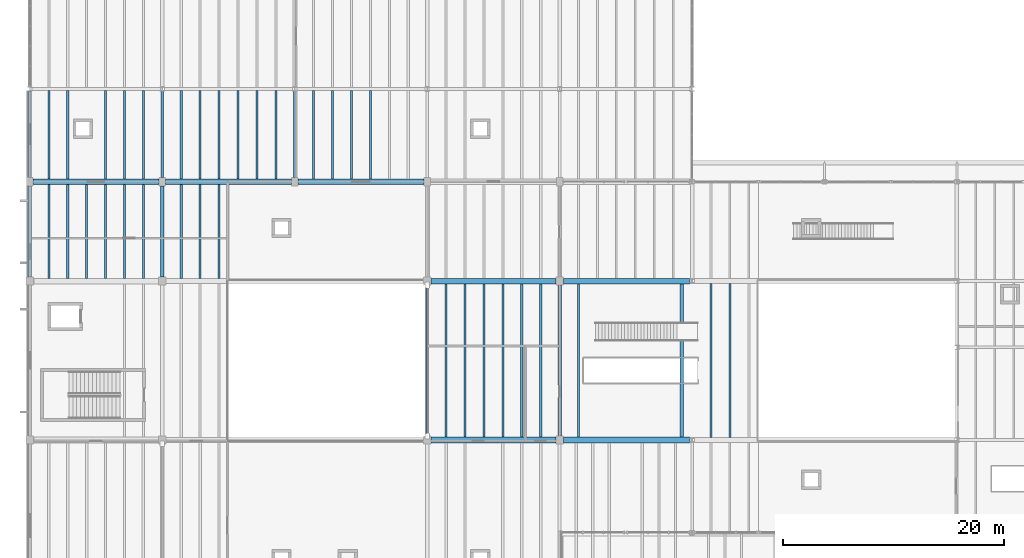
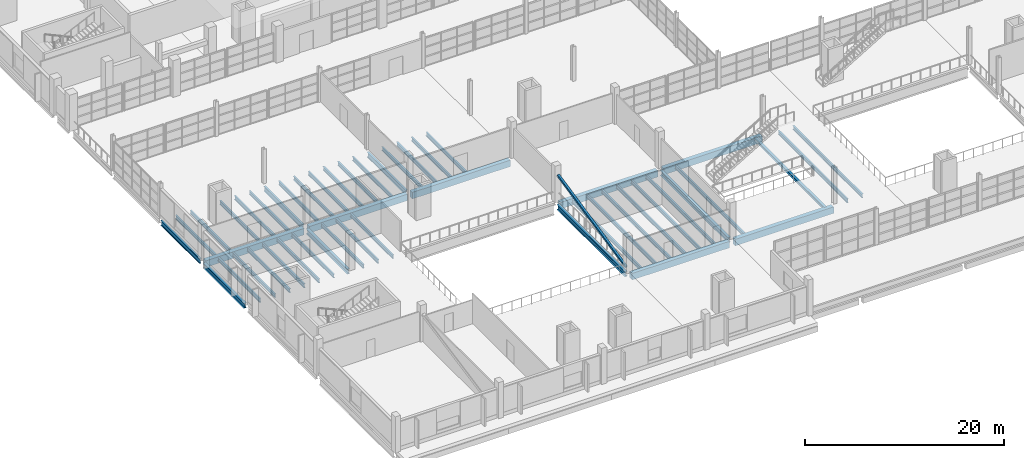
# One storey, part 14 of 114: 48 beams, 1 member.
"""IFC4 building model written with IfcOpenShell, lengths in metres."""

from ifc_helpers import new_model, si_unit, direction, frame, origin, origin_2d, place, context, subcontext, project, spatial, rectangle, hollow_rectangle, i_section, extrude, material, material_profile, profile_set, type_object, element, save


model = new_model("IFC4")

# Units and contexts
model_context = context("Model", 3, precision=1e-05, world=origin(), true_north=direction((0.0, 1.0)))
body_context = subcontext(model_context, "Body", "Model", "MODEL_VIEW")
ifc_project = project(units=[si_unit("LENGTHUNIT", "METRE"), si_unit("AREAUNIT", "SQUARE_METRE"), si_unit("VOLUMEUNIT", "CUBIC_METRE"), si_unit("PLANEANGLEUNIT", "RADIAN"), si_unit("MASSUNIT", "GRAM", prefix="KILO")], contexts=[model_context])

# Site, building, storey
site_placement = place(None, origin())
site = spatial("IfcSite", under=ifc_project, at=site_placement, CompositionType="ELEMENT")
building_placement = place(site_placement, origin())
building = spatial("IfcBuilding", under=site, at=building_placement, Name="Kelmvaro Bay Concert Hall", CompositionType="ELEMENT")
storey_placement = place(building_placement, frame((0.0, 0.0, 4.800048828125)))
storey = spatial("IfcBuildingStorey", under=building, at=storey_placement, Name="L01", CompositionType="ELEMENT", Elevation=4.800048828125)

# Beams
ifc_material_1 = material(Name="Steel ASTM A992 Grade 50", Category="steel")
ifc_material_profile_1 = material_profile(ifc_material_1, i_section(OverallWidth=0.19189453125, OverallDepth=0.4619140625, WebThickness=0.010498046875, FlangeThickness=0.017578125, at=origin_2d()), Name="W18X60")
ifc_profile_set_1 = profile_set([ifc_material_profile_1], Name="Steel ASTM A992 Grade 50")
beam_type_1 = type_object("IfcBeamType", Name="Acoustic Box Floor Joist W18x60", PredefinedType="JOIST", material=ifc_profile_set_1)
for number, where, z_axis, x_axis, name in (
    (1, (37.71435546875, 15.85009765625, -0.48095703125), (0.0, 1.0, 0.0), (-1.0, 0.0, 0.0), "L01 Floor Joist JST-L01-0285"),
    (2, (39.4287109375, 15.85009765625, -0.48095703125), (0.0, 1.0, 0.0), (-1.0, 0.0, 0.0), "L01 Floor Joist JST-L01-0286"),
    (3, (41.142822265625, 15.85009765625, -0.48095703125), (0.0, 1.0, 0.0), (-1.0, 0.0, 0.0), "L01 Floor Joist JST-L01-0287"),
    (4, (42.857177734375, 15.85009765625, -0.48095703125), (0.0, 1.0, 0.0), (-1.0, 0.0, 0.0), "L01 Floor Joist JST-L01-0288"),
    (5, (44.5712890625, 15.85009765625, -0.48095703125), (0.0, 1.0, 0.0), (-1.0, 0.0, 0.0), "L01 Floor Joist JST-L01-0289"),
    (6, (46.28564453125, 15.85009765625, -0.48095703125), (0.0, 1.0, 0.0), (-1.0, 0.0, 0.0), "L01 Floor Joist JST-L01-0290"),
    (7, (49.71435546875, 15.85009765625, -0.48095703125), (0.0, 1.0, 0.0), (-1.0, 0.0, 0.0), "L01 Floor Joist JST-L01-0291"),
):
    element("IfcBeam", number, at=place(storey_placement, frame(where, z_axis=z_axis, x_axis=x_axis)), inside=storey, type_object=beam_type_1, Name=name, PredefinedType="JOIST", context=body_context, shape_type="SweptSolid", body=[
        extrude(i_section(OverallWidth=0.19189453125, OverallDepth=0.4619140625, WebThickness=0.010498046875, FlangeThickness=0.017578125, at=origin_2d()), origin(), (0.0, 0.0, 1.0), 13.89990234375),
    ])
for number, where, z_axis, x_axis, name in (
    (8, (61.71435546875, 15.824951171875, -0.48095703125), (0.0, 1.0, 0.0), (-1.0, 0.0, 0.0), "L01 Floor Joist JST-L01-0292"),
    (9, (63.4287109375, 15.824951171875, -0.48095703125), (0.0, 1.0, 0.0), (-1.0, 0.0, 0.0), "L01 Floor Joist JST-L01-0293"),
):
    element("IfcBeam", number, at=place(storey_placement, frame(where, z_axis=z_axis, x_axis=x_axis)), inside=storey, type_object=beam_type_1, Name=name, PredefinedType="JOIST", context=body_context, shape_type="SweptSolid", body=[
        extrude(i_section(OverallWidth=0.19189453125, OverallDepth=0.4619140625, WebThickness=0.010498046875, FlangeThickness=0.017578125, at=origin_2d()), origin(), (0.0, 0.0, 1.0), 13.949951171875),
    ])
ifc_material_2 = material(Name="Steel ASTM A992 Grade 50", Category="steel")
ifc_material_profile_2 = material_profile(ifc_material_2, i_section(OverallWidth=0.323974609375, OverallDepth=0.611083984375, WebThickness=0.0126953125, FlangeThickness=0.01904296875, at=origin_2d()), Name="W24X104")
ifc_profile_set_2 = profile_set([ifc_material_profile_2], Name="Steel ASTM A992 Grade 50")
beam_type_2 = type_object("IfcBeamType", Name="Foyer Frame Girder W24x104", PredefinedType="BEAM", material=ifc_profile_set_2)
for number, where, z_axis, x_axis, name in (
    (10, (0.0, 30.35009765625, -0.5556640625), (0.0, 1.0, 0.0), (-1.0, 0.0, 0.0), "L01 Girder BM-L01-NS-0119"),
    (11, (12.0, 30.35009765625, -0.5556640625), (0.0, 1.0, 0.0), (-1.0, 0.0, 0.0), "L01 Girder BM-L01-NS-0130"),
):
    element("IfcBeam", number, at=place(storey_placement, frame(where, z_axis=z_axis, x_axis=x_axis)), inside=storey, type_object=beam_type_2, Name=name, PredefinedType="BEAM", context=body_context, shape_type="SweptSolid", body=[
        extrude(i_section(OverallWidth=0.323974609375, OverallDepth=0.611083984375, WebThickness=0.0126953125, FlangeThickness=0.01904296875, at=origin_2d()), origin(), (0.0, 0.0, 1.0), 8.25),
    ])
for number, where, z_axis, x_axis, name in (
    (12, (36.0, 15.949951171875, -0.5556640625), (0.0, 1.0, 0.0), (-1.0, 0.0, 0.0), "L01 Girder BM-L01-NS-0143"),
    (13, (48.0, 15.949951171875, -0.5556640625), (0.0, 1.0, 0.0), (-1.0, 0.0, 0.0), "L01 Girder BM-L01-NS-0149"),
):
    element("IfcBeam", number, at=place(storey_placement, frame(where, z_axis=z_axis, x_axis=x_axis)), inside=storey, type_object=beam_type_2, Name=name, PredefinedType="BEAM", context=body_context, shape_type="SweptSolid", body=[
        extrude(i_section(OverallWidth=0.323974609375, OverallDepth=0.611083984375, WebThickness=0.0126953125, FlangeThickness=0.01904296875, at=origin_2d()), origin(), (0.0, 0.0, 1.0), 13.699951171875),
    ])
ifc_material_3 = material(Name="Concrete C40/50", Category="concrete")
ifc_material_profile_3 = material_profile(ifc_material_3, rectangle(XDim=0.5, YDim=0.800048828125, at=origin_2d()), Name="RC-BM-500X800")
ifc_profile_set_3 = profile_set([ifc_material_profile_3], Name="Concrete C40/50")
beam_type_3 = type_object("IfcBeamType", Name="Pavilion Frame Beam RC500x800", PredefinedType="BEAM", material=ifc_profile_set_3)
beam_1_placement = place(storey_placement, frame((36.35009765625, 15.60009765625, -0.650146484375), z_axis=(1.0, 0.0, 0.0), x_axis=(0.0, 1.0, 0.0)))
element("IfcBeam", 14, at=beam_1_placement, inside=storey, type_object=beam_type_3, Name="L01 Girder BM-L01-EW-0018", PredefinedType="BEAM", context=body_context, shape_type="SweptSolid", body=[
    extrude(rectangle(XDim=0.5, YDim=0.800048828125, at=origin_2d()), origin(), (0.0, 0.0, 1.0), 11.2998046875),
])
beam_2_placement = place(storey_placement, frame((48.35009765625, 15.60009765625, -0.650146484375), z_axis=(1.0, 0.0, 0.0), x_axis=(0.0, 1.0, 0.0)))
element("IfcBeam", 15, at=beam_2_placement, inside=storey, type_object=beam_type_3, Name="L01 Girder BM-L01-EW-0019", PredefinedType="BEAM", context=body_context, shape_type="SweptSolid", body=[
    extrude(rectangle(XDim=0.5, YDim=0.800048828125, at=origin_2d()), origin(), (0.0, 0.0, 1.0), 11.450439453125),
])
beam_3_placement = place(storey_placement, frame((36.35009765625, 30.0, -0.650146484375), z_axis=(1.0, 0.0, 0.0), x_axis=(0.0, 1.0, 0.0)))
element("IfcBeam", 16, at=beam_3_placement, inside=storey, type_object=beam_type_3, Name="L01 Girder BM-L01-EW-0035", PredefinedType="BEAM", context=body_context, shape_type="SweptSolid", body=[
    extrude(rectangle(XDim=0.5, YDim=0.800048828125, at=origin_2d()), origin(), (0.0, 0.0, 1.0), 11.2998046875),
])
beam_4_placement = place(storey_placement, frame((48.35009765625, 30.0, -0.650146484375), z_axis=(1.0, 0.0, 0.0), x_axis=(0.0, 1.0, 0.0)))
element("IfcBeam", 17, at=beam_4_placement, inside=storey, type_object=beam_type_3, Name="L01 Girder BM-L01-EW-0036", PredefinedType="BEAM", context=body_context, shape_type="SweptSolid", body=[
    extrude(rectangle(XDim=0.5, YDim=0.800048828125, at=origin_2d()), origin(), (0.0, 0.0, 1.0), 11.450439453125),
])
for number, where, z_axis, x_axis, name in (
    (18, (0.300048828125, 39.0, -0.650146484375), (1.0, 0.0, 0.0), (0.0, 1.0, 0.0), "L01 Girder BM-L01-EW-0045"),
    (19, (12.300048828125, 39.0, -0.650146484375), (1.0, 0.0, 0.0), (0.0, 1.0, 0.0), "L01 Girder BM-L01-EW-0046"),
    (20, (24.300048828125, 39.0, -0.650146484375), (1.0, 0.0, 0.0), (0.0, 1.0, 0.0), "L01 Girder BM-L01-EW-0047"),
):
    element("IfcBeam", number, at=place(storey_placement, frame(where, z_axis=z_axis, x_axis=x_axis)), inside=storey, type_object=beam_type_3, Name=name, PredefinedType="BEAM", context=body_context, shape_type="SweptSolid", body=[
        extrude(rectangle(XDim=0.5, YDim=0.800048828125, at=origin_2d()), origin(), (0.0, 0.0, 1.0), 11.39990234375),
    ])
ifc_material_4 = material(Name="Steel ASTM A992 Grade 50", Category="steel")
ifc_material_profile_4 = material_profile(ifc_material_4, i_section(OverallWidth=0.306884765625, OverallDepth=0.318115234375, WebThickness=0.01318359375, FlangeThickness=0.0205078125, at=origin_2d()), Name="W12X87")
ifc_profile_set_4 = profile_set([ifc_material_profile_4], Name="Steel ASTM A992 Grade 50")
beam_type_4 = type_object("IfcBeamType", Name="Roof Hatch Trimmer Beam W12x87", PredefinedType="BEAM", material=ifc_profile_set_4)
beam_5_placement = place(storey_placement, frame((59.050048828125, 15.72998046875, -0.408935546875), z_axis=(0.0, 1.0, 0.0), x_axis=(-1.0, 0.0, 0.0)))
element("IfcBeam", 21, at=beam_5_placement, inside=storey, type_object=beam_type_4, Name="L01 Stair Well Trimmer Beam 1", PredefinedType="BEAM", context=body_context, shape_type="SweptSolid", body=[
    extrude(i_section(OverallWidth=0.306884765625, OverallDepth=0.318115234375, WebThickness=0.01318359375, FlangeThickness=0.0205078125, at=origin_2d()), origin(), (0.0, 0.0, 1.0), 14.14013671875),
])
ifc_material_5 = material(Name="Steel ASTM A992 Grade 50", Category="steel")
ifc_material_profile_5 = material_profile(ifc_material_5, i_section(OverallWidth=0.19091796875, OverallDepth=0.45703125, WebThickness=0.009033203125, FlangeThickness=0.014404296875, at=origin_2d()), Name="W18X50")
ifc_profile_set_5 = profile_set([ifc_material_profile_5], Name="Steel ASTM A992 Grade 50")
beam_type_5 = type_object("IfcBeamType", Name="Standard Composite Floor Joist W18x50", PredefinedType="JOIST", material=ifc_profile_set_5)
for number, where, z_axis, x_axis, name in (
    (22, (1.71435546875, 30.25, -0.478515625), (0.0, 1.0, 0.0), (-1.0, 0.0, 0.0), "L01 Floor Joist JST-L01-0362"),
    (23, (3.4287109375, 30.25, -0.478515625), (0.0, 1.0, 0.0), (-1.0, 0.0, 0.0), "L01 Floor Joist JST-L01-0363"),
    (24, (5.142822265625, 30.25, -0.478515625), (0.0, 1.0, 0.0), (-1.0, 0.0, 0.0), "L01 Floor Joist JST-L01-0364"),
    (25, (6.857177734375, 30.25, -0.478515625), (0.0, 1.0, 0.0), (-1.0, 0.0, 0.0), "L01 Floor Joist JST-L01-0365"),
    (26, (8.5712890625, 30.25, -0.478515625), (0.0, 1.0, 0.0), (-1.0, 0.0, 0.0), "L01 Floor Joist JST-L01-0366"),
    (27, (10.28564453125, 30.25, -0.478515625), (0.0, 1.0, 0.0), (-1.0, 0.0, 0.0), "L01 Floor Joist JST-L01-0367"),
):
    element("IfcBeam", number, at=place(storey_placement, frame(where, z_axis=z_axis, x_axis=x_axis)), inside=storey, type_object=beam_type_5, Name=name, PredefinedType="JOIST", context=body_context, shape_type="SweptSolid", body=[
        extrude(i_section(OverallWidth=0.19091796875, OverallDepth=0.45703125, WebThickness=0.009033203125, FlangeThickness=0.014404296875, at=origin_2d()), origin(), (0.0, 0.0, 1.0), 8.5),
    ])
for number, where, z_axis, x_axis, name in (
    (28, (13.71435546875, 30.22509765625, -0.478515625), (0.0, 1.0, 0.0), (-1.0, 0.0, 0.0), "L01 Floor Joist JST-L01-0368"),
    (29, (15.4287109375, 30.22509765625, -0.478515625), (0.0, 1.0, 0.0), (-1.0, 0.0, 0.0), "L01 Floor Joist JST-L01-0369"),
    (30, (17.142822265625, 30.22509765625, -0.478515625), (0.0, 1.0, 0.0), (-1.0, 0.0, 0.0), "L01 Floor Joist JST-L01-0370"),
):
    element("IfcBeam", number, at=place(storey_placement, frame(where, z_axis=z_axis, x_axis=x_axis)), inside=storey, type_object=beam_type_5, Name=name, PredefinedType="JOIST", context=body_context, shape_type="SweptSolid", body=[
        extrude(i_section(OverallWidth=0.19091796875, OverallDepth=0.45703125, WebThickness=0.009033203125, FlangeThickness=0.014404296875, at=origin_2d()), origin(), (0.0, 0.0, 1.0), 8.52490234375),
    ])
for number, where, z_axis, x_axis, name in (
    (31, (1.71435546875, 39.25, -0.478515625), (0.0, 1.0, 0.0), (-1.0, 0.0, 0.0), "L01 Floor Joist JST-L01-0422"),
    (32, (3.4287109375, 39.25, -0.478515625), (0.0, 1.0, 0.0), (-1.0, 0.0, 0.0), "L01 Floor Joist JST-L01-0423"),
    (33, (6.857177734375, 39.25, -0.478515625), (0.0, 1.0, 0.0), (-1.0, 0.0, 0.0), "L01 Floor Joist JST-L01-0424"),
    (34, (8.5712890625, 39.25, -0.478515625), (0.0, 1.0, 0.0), (-1.0, 0.0, 0.0), "L01 Floor Joist JST-L01-0425"),
    (35, (10.28564453125, 39.25, -0.478515625), (0.0, 1.0, 0.0), (-1.0, 0.0, 0.0), "L01 Floor Joist JST-L01-0426"),
    (36, (13.71435546875, 39.25, -0.478515625), (0.0, 1.0, 0.0), (-1.0, 0.0, 0.0), "L01 Floor Joist JST-L01-0427"),
    (37, (15.4287109375, 39.25, -0.478515625), (0.0, 1.0, 0.0), (-1.0, 0.0, 0.0), "L01 Floor Joist JST-L01-0428"),
    (38, (17.142822265625, 39.25, -0.478515625), (0.0, 1.0, 0.0), (-1.0, 0.0, 0.0), "L01 Floor Joist JST-L01-0429"),
    (39, (18.857177734375, 39.25, -0.478515625), (0.0, 1.0, 0.0), (-1.0, 0.0, 0.0), "L01 Floor Joist JST-L01-0430"),
    (40, (20.5712890625, 39.25, -0.478515625), (0.0, 1.0, 0.0), (-1.0, 0.0, 0.0), "L01 Floor Joist JST-L01-0431"),
    (41, (22.28564453125, 39.25, -0.478515625), (0.0, 1.0, 0.0), (-1.0, 0.0, 0.0), "L01 Floor Joist JST-L01-0432"),
    (42, (25.71435546875, 39.25, -0.478515625), (0.0, 1.0, 0.0), (-1.0, 0.0, 0.0), "L01 Floor Joist JST-L01-0433"),
    (43, (27.4287109375, 39.25, -0.478515625), (0.0, 1.0, 0.0), (-1.0, 0.0, 0.0), "L01 Floor Joist JST-L01-0434"),
    (44, (29.142822265625, 39.25, -0.478515625), (0.0, 1.0, 0.0), (-1.0, 0.0, 0.0), "L01 Floor Joist JST-L01-0435"),
    (45, (30.857177734375, 39.25, -0.478515625), (0.0, 1.0, 0.0), (-1.0, 0.0, 0.0), "L01 Floor Joist JST-L01-0436"),
):
    element("IfcBeam", number, at=place(storey_placement, frame(where, z_axis=z_axis, x_axis=x_axis)), inside=storey, type_object=beam_type_5, Name=name, PredefinedType="JOIST", context=body_context, shape_type="SweptSolid", body=[
        extrude(i_section(OverallWidth=0.19091796875, OverallDepth=0.45703125, WebThickness=0.009033203125, FlangeThickness=0.014404296875, at=origin_2d()), origin(), (0.0, 0.0, 1.0), 8.02197265625),
    ])
ifc_material_6 = material(Name="Steel ASTM A992 Grade 50", Category="steel")
ifc_material_profile_6 = material_profile(ifc_material_6, i_section(OverallWidth=0.22900390625, OverallDepth=0.612060546875, WebThickness=0.011962890625, FlangeThickness=0.01953125, at=origin_2d()), Name="W24X84")
ifc_profile_set_6 = profile_set([ifc_material_profile_6], Name="Steel ASTM A992 Grade 50")
beam_type_6 = type_object("IfcBeamType", Name="Terrace Edge Girder W24x84", PredefinedType="BEAM", material=ifc_profile_set_6)
for number, where, z_axis, x_axis, name in (
    (46, (0.0, 39.39990234375, -0.55615234375), (0.0, 1.0, 0.0), (-1.0, 0.0, 0.0), "L01 Girder BM-L01-NS-0120"),
    (47, (12.0, 39.39990234375, -0.55615234375), (0.0, 1.0, 0.0), (-1.0, 0.0, 0.0), "L01 Girder BM-L01-NS-0131"),
    (48, (24.0, 39.39990234375, -0.55615234375), (0.0, 1.0, 0.0), (-1.0, 0.0, 0.0), "L01 Girder BM-L01-NS-0139"),
):
    element("IfcBeam", number, at=place(storey_placement, frame(where, z_axis=z_axis, x_axis=x_axis)), inside=storey, type_object=beam_type_6, Name=name, PredefinedType="BEAM", context=body_context, shape_type="SweptSolid", body=[
        extrude(i_section(OverallWidth=0.22900390625, OverallDepth=0.612060546875, WebThickness=0.011962890625, FlangeThickness=0.01953125, at=origin_2d()), origin(), (0.0, 0.0, 1.0), 7.8134765625),
    ])

# Member
ifc_material_7 = material(Name="Steel ASTM A500 Grade C", Category="steel")
ifc_material_profile_7 = material_profile(ifc_material_7, hollow_rectangle(XDim=0.25, YDim=0.25, WallThickness=0.010009765625, at=origin_2d()), Name="HSS250X250X10")
ifc_profile_set_7 = profile_set([ifc_material_profile_7], Name="Steel ASTM A500 Grade C")
member_type = type_object("IfcMemberType", Name="Upper Pavilion Wind Brace HSS250x250x10", PredefinedType="BRACE", material=ifc_profile_set_7)
member_placement = place(storey_placement, frame((36.0, 15.951904296875, 0.350341796875), z_axis=(0.0, 0.977592044162, 0.210508420711), x_axis=(-1.0, 0.0, 0.0)))
element("IfcMember", 49, at=member_placement, inside=storey, type_object=member_type, Name="L01 Lateral Diagonal Brace V3-E", PredefinedType="BRACE", context=body_context, shape_type="SweptSolid", body=[
    extrude(hollow_rectangle(XDim=0.25, YDim=0.25, WallThickness=0.010009765625, at=origin_2d()), origin(), (0.0, 0.0, 1.0), 14.010009765625),
])

save(model, "model.ifc")
